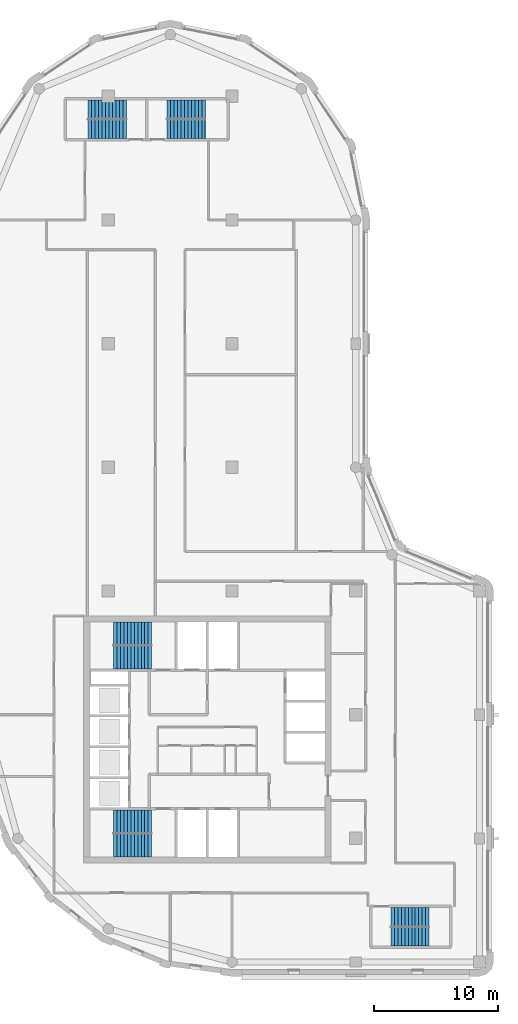
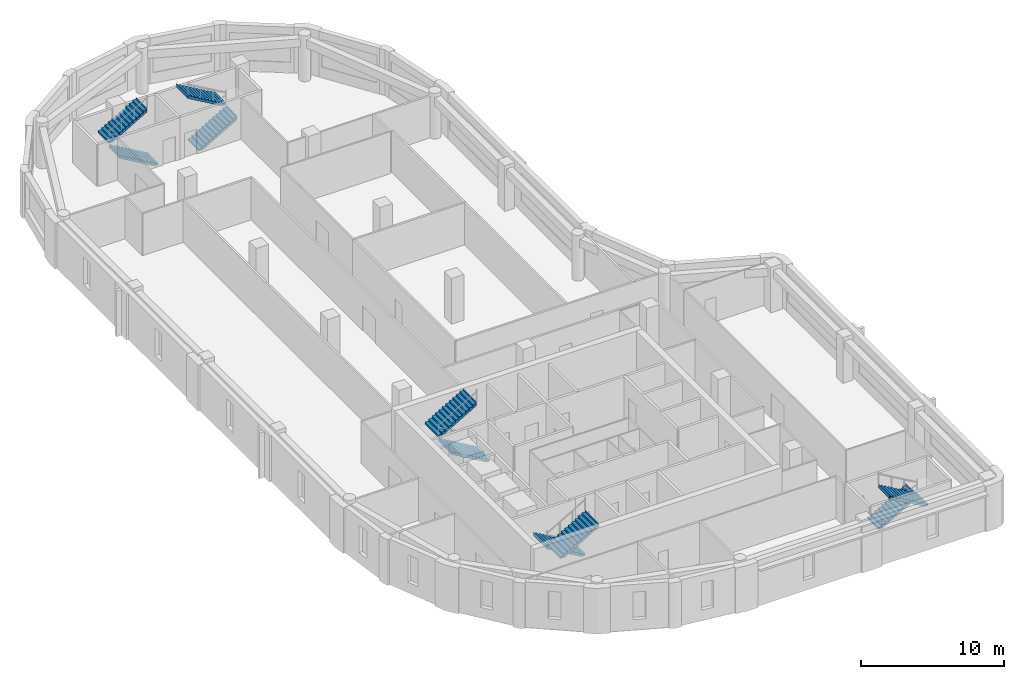
# One storey, part 6 of 8: 10 stair flights, 5 elements without a shape of their own.
"""IFC4 building model written with IfcOpenShell, lengths in metres."""

import ifcopenshell
import ifcopenshell.guid

model = None  # the IFC model being written
_history = None  # IfcOwnerHistory: only IFC2X3 demands one
_inside = {}  # id of a spatial element -> (the spatial element, [elements in it])
_under = {}  # id of a project, library or spatial element -> (it, [spatial elements below it])
_declared = {}  # id of a project -> (the project, [libraries it declares])
_typed = {}  # id of a type object -> (the type object, [elements of that type])
_made_of = {}  # id of a material, layer set ... -> (it, [elements and type objects made of it])


def new_model(schema):
    """Start an empty IFC model of exactly this schema.

    Asked for "IFC4X3", IfcOpenShell would pick the latest addendum, in which some entities
    have other attributes; the version numbers below select the first issue.
    IFC2X3 requires an IfcOwnerHistory on every rooted entity: one is made here for all.
    """
    global model, _history
    if schema == "IFC4X3":
        model = ifcopenshell.file(schema_version=(4, 3, 0, 0))
    else:
        model = ifcopenshell.file(schema=schema)
    _inside.clear()
    _under.clear()
    _declared.clear()
    _typed.clear()
    _made_of.clear()
    _history = None
    if model.schema == "IFC2X3":
        org = make("IfcOrganization", Name="unknown")
        user = make(
            "IfcPersonAndOrganization",
            ThePerson=make("IfcPerson", FamilyName="unknown"),
            TheOrganization=org,
        )
        app = make(
            "IfcApplication",
            ApplicationDeveloper=org,
            Version="unknown",
            ApplicationFullName="unknown",
            ApplicationIdentifier="unknown",
        )
        _history = make(
            "IfcOwnerHistory",
            OwningUser=user,
            OwningApplication=app,
            ChangeAction="ADDED",
            CreationDate=0,
        )
    return model


def make(cls, **values):
    """One entity of the class cls with the attributes given. An attribute that is None is left unset."""
    return model.create_entity(
        cls, **{name: value for name, value in values.items() if value is not None}
    )


def rooted(cls, **values):
    """An entity with a GlobalId (a new one), such as an element, a storey or a relation."""
    return make(cls, GlobalId=ifcopenshell.guid.new(), OwnerHistory=_history, **values)


def si_unit(unit_type, name, prefix=None):
    """IfcSIUnit, for example si_unit("LENGTHUNIT", "METRE", prefix="MILLI")."""
    return make("IfcSIUnit", UnitType=unit_type, Prefix=prefix, Name=name)


def assignment(units):
    """IfcUnitAssignment: the units of a project."""
    return None if units is None else make("IfcUnitAssignment", Units=units)


def point(xyz):
    """IfcCartesianPoint."""
    return None if xyz is None else make("IfcCartesianPoint", Coordinates=xyz)


def direction(xyz):
    """IfcDirection."""
    return None if xyz is None else make("IfcDirection", DirectionRatios=xyz)


def frame(location, z_axis=None, x_axis=None):
    """IfcAxis2Placement3D, a coordinate frame: its origin and axes. An axis left out is left unset."""
    return make(
        "IfcAxis2Placement3D",
        Location=point(location),
        Axis=direction(z_axis),
        RefDirection=direction(x_axis),
    )


def origin():
    """The frame at (0, 0, 0) with its axes left unset."""
    return frame((0.0, 0.0, 0.0))


def place(relative_to, where):
    """IfcLocalPlacement: puts the frame where relative to a parent placement (None: the world)."""
    return make(
        "IfcLocalPlacement", PlacementRelTo=relative_to, RelativePlacement=where
    )


def context(
    kind, dimensions, precision=None, world=None, true_north=None, identifier=None
):
    """IfcGeometricRepresentationContext, for example the 3D "Model" context."""
    return make(
        "IfcGeometricRepresentationContext",
        ContextIdentifier=identifier,
        ContextType=kind,
        CoordinateSpaceDimension=dimensions,
        Precision=precision,
        WorldCoordinateSystem=world,
        TrueNorth=true_north,
    )


def subcontext(parent, identifier, kind, view, scale=None):
    """IfcGeometricRepresentationSubContext, for example "Body" below "Model"."""
    return make(
        "IfcGeometricRepresentationSubContext",
        ContextIdentifier=identifier,
        ContextType=kind,
        ParentContext=parent,
        TargetScale=scale,
        TargetView=view,
    )


def project(units=None, contexts=None):
    """IfcProject with its units and contexts."""
    return rooted(
        "IfcProject",
        Name="project",
        RepresentationContexts=contexts,
        UnitsInContext=assignment(units),
    )


def spatial(cls, under=None, at=None, **own):
    """A site, building, storey or space (cls), placed at a placement, below another one or the project."""
    s = rooted(cls, ObjectPlacement=at, **own)
    if under is not None:
        _under.setdefault(under.id(), (under, []))[1].append(s)
    return s


def polyline(points):
    """IfcPolyline through the points."""
    return make("IfcPolyline", Points=[point(p) for p in points])


def outline(outer, holes=None, kind="AREA"):
    """IfcArbitraryClosedProfileDef: a profile drawn as a closed curve; with holes, ...WithVoids."""
    if holes is None:
        return make("IfcArbitraryClosedProfileDef", ProfileType=kind, OuterCurve=outer)
    return make(
        "IfcArbitraryProfileDefWithVoids",
        ProfileType=kind,
        OuterCurve=outer,
        InnerCurves=holes,
    )


def extrude(swept, where, along, depth):
    """IfcExtrudedAreaSolid: the profile swept, set in the frame where, extruded along a direction by depth."""
    return make(
        "IfcExtrudedAreaSolid",
        SweptArea=swept,
        Position=where,
        ExtrudedDirection=direction(along),
        Depth=depth,
    )


def shape(context_of_items, identifier, shape_type, items):
    """IfcShapeRepresentation: the items that make up one representation, for example the "Body"."""
    return make(
        "IfcShapeRepresentation",
        ContextOfItems=context_of_items,
        RepresentationIdentifier=identifier,
        RepresentationType=shape_type,
        Items=items,
    )


def material(Name=None, Category=None):
    """IfcMaterial."""
    return make("IfcMaterial", Name=Name, Category=Category)


def made_of(thing, what):
    """Note that an element or type object is made of a material, layer set ...; save() writes the relation."""
    if what is not None:
        _made_of.setdefault(what.id(), (what, []))[1].append(thing)
    return thing


def type_object(cls, material=None, **own):
    """A type object (cls), such as IfcWallType, which elements share."""
    return made_of(rooted(cls, **own), material)


def element(
    cls,
    number,
    at=None,
    inside=None,
    cuts=None,
    type_object=None,
    material=None,
    context=None,
    identifier="Body",
    shape_type=None,
    held_by="IfcProductDefinitionShape",
    body=None,
    shapes=None,
    **own,
):
    """One element of the class cls, such as IfcWall. Its Tag is "e" and its number.

    at: its placement. inside: the storey or other place that contains it. cuts: it is an
    opening in that element (IfcRelVoidsElement). A single representation is given by context,
    identifier, shape_type and body (its items); several are given by shapes. held_by: the class
    of the entity that holds the representations. save() writes the other relations.
    """
    e = rooted(cls, Tag="e%d" % number, ObjectPlacement=at, **own)
    if body is not None:
        shapes = [shape(context, identifier, shape_type, body)]
    if shapes is not None:
        e.Representation = make(held_by, Representations=shapes)
    if inside is not None:
        _inside.setdefault(inside.id(), (inside, []))[1].append(e)
    if cuts is not None:
        rooted(
            "IfcRelVoidsElement", RelatingBuildingElement=cuts, RelatedOpeningElement=e
        )
    if type_object is not None:
        _typed.setdefault(type_object.id(), (type_object, []))[1].append(e)
    return made_of(e, material)


def aggregate(whole, parts):
    """IfcRelAggregates: a whole, such as a stair, and the parts it consists of."""
    return rooted("IfcRelAggregates", RelatingObject=whole, RelatedObjects=parts)


def save(model, path):
    """Write the relations noted so far, then the file.

    IfcRelAggregates (storeys below a building ...), IfcRelContainedInSpatialStructure (elements
    in a storey), IfcRelDefinesByType, IfcRelAssociatesMaterial and IfcRelDeclares: one each for
    every whole, place, type object, material and project.
    """
    for whole, parts in _under.values():
        aggregate(whole, parts)
    for where, things in _inside.values():
        rooted(
            "IfcRelContainedInSpatialStructure",
            RelatedElements=things,
            RelatingStructure=where,
        )
    for kind, things in _typed.values():
        rooted("IfcRelDefinesByType", RelatedObjects=things, RelatingType=kind)
    for what, things in _made_of.values():
        rooted("IfcRelAssociatesMaterial", RelatedObjects=things, RelatingMaterial=what)
    for by, libraries in _declared.values():
        rooted("IfcRelDeclares", RelatingContext=by, RelatedDefinitions=libraries)
    model.write(path)


model = new_model("IFC4")

# Units and contexts
model_context = context("Model", 3, precision=1e-05, world=origin(), true_north=direction((0.0, 1.0)))
body_context = subcontext(model_context, "Body", "Model", "MODEL_VIEW")
ifc_project = project(units=[si_unit("LENGTHUNIT", "METRE"), si_unit("AREAUNIT", "SQUARE_METRE"), si_unit("VOLUMEUNIT", "CUBIC_METRE"), si_unit("PLANEANGLEUNIT", "RADIAN"), si_unit("MASSUNIT", "GRAM", prefix="KILO")], contexts=[model_context])

# Site, building, storey
site_placement = place(None, origin())
site = spatial("IfcSite", under=ifc_project, at=site_placement, CompositionType="ELEMENT")
building_placement = place(site_placement, origin())
building = spatial("IfcBuilding", under=site, at=building_placement, Name="Qaws Garden Tower", CompositionType="ELEMENT")
storey_placement = place(building_placement, frame((0.0, 0.0, 306.0)))
storey = spatial("IfcBuildingStorey", under=building, at=storey_placement, Name="L74", CompositionType="ELEMENT", Elevation=306.0)

# Stair, stair flights
ifc_material_1 = material(Name="Concrete C40", Category="concrete")
stair_type_1 = type_object("IfcStairType", Name="Exit stair 1350", PredefinedType="HALF_TURN_STAIR", material=ifc_material_1)
placement = place(storey_placement, origin())
stair_1 = element("IfcStair", 1, at=placement, inside=storey, type_object=stair_type_1, Name="Stair 5", PredefinedType="HALF_TURN_STAIR")
ifc_material_2 = material(Name="Concrete C40", Category="concrete")
stair_flight_type_1 = type_object("IfcStairFlightType", Name="Stair flight 1350", PredefinedType="STRAIGHT", material=ifc_material_2)
stair_flight_1_placement = place(storey_placement, frame((32.85009765625, 3.625, 0.0), z_axis=(0.0, 0.0, 1.0), x_axis=(1.0, 0.0, 0.0)))
stair_flight_1 = element("IfcStairFlight", 2, at=stair_flight_1_placement, type_object=stair_flight_type_1, Name="ST5 flight 1", NumberOfRisers=12, NumberOfTreads=11, PredefinedType="STRAIGHT", RiserHeight=0.1625, TreadLength=0.28, context=body_context, shape_type="SweptSolid", body=[
    extrude(outline(polyline([(-0.0029296875, 0.0), (-0.0029296875, 0.16259765625), (0.0, 0.16259765625), (0.280029296875, 0.16259765625), (0.280029296875, 0.324951171875), (0.56005859375, 0.324951171875), (0.56005859375, 0.487548828125), (0.840087890625, 0.487548828125), (0.840087890625, 0.64990234375), (1.1201171875, 0.64990234375), (1.1201171875, 0.8125), (1.39990234375, 0.8125), (1.39990234375, 0.97509765625), (1.679931640625, 0.97509765625), (1.679931640625, 1.137451171875), (1.9599609375, 1.137451171875), (1.9599609375, 1.300048828125), (2.239990234375, 1.300048828125), (2.239990234375, 1.46240234375), (2.52001953125, 1.46240234375), (2.52001953125, 1.625), (2.800048828125, 1.625), (2.800048828125, 1.78759765625), (3.080078125, 1.78759765625), (3.080078125, 1.949951171875), (3.0830078125, 1.949951171875), (3.0830078125, 1.6142578125), (3.080078125, 1.6142578125), (0.298583984375, 0.0), (-0.0029296875, 0.0)])), frame((0.0, 0.77490234375, 0.0), z_axis=(0.0, -1.0, 0.0), x_axis=(1.0, 0.0, 0.0)), (0.0, 0.0, 1.0), 1.550048828125),
])
stair_flight_2_placement = place(storey_placement, frame((35.929931640625, 2.074951171875, 1.949951171875), z_axis=(0.0, 0.0, 1.0), x_axis=(-1.0, 0.0, 0.0)))
stair_flight_2 = element("IfcStairFlight", 3, at=stair_flight_2_placement, type_object=stair_flight_type_1, Name="ST5 flight 2", NumberOfRisers=12, NumberOfTreads=11, PredefinedType="STRAIGHT", RiserHeight=0.1625, TreadLength=0.28, context=body_context, shape_type="SweptSolid", body=[
    extrude(outline(polyline([(-0.0029296875, 0.0), (-0.0029296875, 0.16259765625), (0.0, 0.16259765625), (0.280029296875, 0.16259765625), (0.280029296875, 0.324951171875), (0.56005859375, 0.324951171875), (0.56005859375, 0.487548828125), (0.840087890625, 0.487548828125), (0.840087890625, 0.64990234375), (1.1201171875, 0.64990234375), (1.1201171875, 0.8125), (1.39990234375, 0.8125), (1.39990234375, 0.97509765625), (1.679931640625, 0.97509765625), (1.679931640625, 1.137451171875), (1.9599609375, 1.137451171875), (1.9599609375, 1.300048828125), (2.239990234375, 1.300048828125), (2.239990234375, 1.46240234375), (2.52001953125, 1.46240234375), (2.52001953125, 1.625), (2.800048828125, 1.625), (2.800048828125, 1.78759765625), (3.080078125, 1.78759765625), (3.080078125, 1.949951171875), (3.0830078125, 1.949951171875), (3.0830078125, 1.6142578125), (3.080078125, 1.6142578125), (0.298583984375, 0.0), (-0.0029296875, 0.0)])), frame((0.0, 0.77490234375, 0.0), z_axis=(0.0, -1.0, 0.0), x_axis=(1.0, 0.0, 0.0)), (0.0, 0.0, 1.0), 1.550048828125),
])
aggregate(stair_1, [stair_flight_1, stair_flight_2])

stair_2 = element("IfcStair", 4, at=placement, inside=storey, type_object=stair_type_1, Name="Stair 6", PredefinedType="HALF_TURN_STAIR")
stair_flight_3_placement = place(storey_placement, frame((11.449951171875, 67.375, 0.0), z_axis=(0.0, 0.0, 1.0), x_axis=(-1.0, 0.0, 0.0)))
stair_flight_3 = element("IfcStairFlight", 5, at=stair_flight_3_placement, type_object=stair_flight_type_1, Name="ST6 flight 1", NumberOfRisers=12, NumberOfTreads=11, PredefinedType="STRAIGHT", RiserHeight=0.1625, TreadLength=0.28, context=body_context, shape_type="SweptSolid", body=[
    extrude(outline(polyline([(-0.0029296875, 0.0), (-0.0029296875, 0.16259765625), (0.0, 0.16259765625), (0.280029296875, 0.16259765625), (0.280029296875, 0.324951171875), (0.56005859375, 0.324951171875), (0.56005859375, 0.487548828125), (0.840087890625, 0.487548828125), (0.840087890625, 0.64990234375), (1.1201171875, 0.64990234375), (1.1201171875, 0.8125), (1.39990234375, 0.8125), (1.39990234375, 0.97509765625), (1.679931640625, 0.97509765625), (1.679931640625, 1.137451171875), (1.9599609375, 1.137451171875), (1.9599609375, 1.300048828125), (2.239990234375, 1.300048828125), (2.239990234375, 1.46240234375), (2.52001953125, 1.46240234375), (2.52001953125, 1.625), (2.800048828125, 1.625), (2.800048828125, 1.78759765625), (3.080078125, 1.78759765625), (3.080078125, 1.949951171875), (3.0830078125, 1.949951171875), (3.0830078125, 1.6142578125), (3.080078125, 1.6142578125), (0.298583984375, 0.0), (-0.0029296875, 0.0)])), frame((0.0, 0.77490234375, 0.0), z_axis=(0.0, -1.0, 0.0), x_axis=(1.0, 0.0, 0.0)), (0.0, 0.0, 1.0), 1.550048828125),
])
stair_flight_4_placement = place(storey_placement, frame((8.3701171875, 68.925048828125, 1.949951171875), z_axis=(0.0, 0.0, 1.0), x_axis=(1.0, 0.0, 0.0)))
stair_flight_4 = element("IfcStairFlight", 6, at=stair_flight_4_placement, type_object=stair_flight_type_1, Name="ST6 flight 2", NumberOfRisers=12, NumberOfTreads=11, PredefinedType="STRAIGHT", RiserHeight=0.1625, TreadLength=0.28, context=body_context, shape_type="SweptSolid", body=[
    extrude(outline(polyline([(-0.0029296875, 0.0), (-0.0029296875, 0.16259765625), (0.0, 0.16259765625), (0.280029296875, 0.16259765625), (0.280029296875, 0.324951171875), (0.56005859375, 0.324951171875), (0.56005859375, 0.487548828125), (0.840087890625, 0.487548828125), (0.840087890625, 0.64990234375), (1.1201171875, 0.64990234375), (1.1201171875, 0.8125), (1.39990234375, 0.8125), (1.39990234375, 0.97509765625), (1.679931640625, 0.97509765625), (1.679931640625, 1.137451171875), (1.9599609375, 1.137451171875), (1.9599609375, 1.300048828125), (2.239990234375, 1.300048828125), (2.239990234375, 1.46240234375), (2.52001953125, 1.46240234375), (2.52001953125, 1.625), (2.800048828125, 1.625), (2.800048828125, 1.78759765625), (3.080078125, 1.78759765625), (3.080078125, 1.949951171875), (3.0830078125, 1.949951171875), (3.0830078125, 1.6142578125), (3.080078125, 1.6142578125), (0.298583984375, 0.0), (-0.0029296875, 0.0)])), frame((0.0, 0.77490234375, 0.0), z_axis=(0.0, -1.0, 0.0), x_axis=(1.0, 0.0, 0.0)), (0.0, 0.0, 1.0), 1.550048828125),
])
aggregate(stair_2, [stair_flight_3, stair_flight_4])

stair_3 = element("IfcStair", 7, at=placement, inside=storey, type_object=stair_type_1, Name="Stair 7", PredefinedType="HALF_TURN_STAIR")
stair_flight_5_placement = place(storey_placement, frame((14.75, 67.375, 0.0), z_axis=(0.0, 0.0, 1.0), x_axis=(1.0, 0.0, 0.0)))
stair_flight_5 = element("IfcStairFlight", 8, at=stair_flight_5_placement, type_object=stair_flight_type_1, Name="ST7 flight 1", NumberOfRisers=12, NumberOfTreads=11, PredefinedType="STRAIGHT", RiserHeight=0.1625, TreadLength=0.28, context=body_context, shape_type="SweptSolid", body=[
    extrude(outline(polyline([(-0.0029296875, 0.0), (-0.0029296875, 0.16259765625), (0.0, 0.16259765625), (0.280029296875, 0.16259765625), (0.280029296875, 0.324951171875), (0.56005859375, 0.324951171875), (0.56005859375, 0.487548828125), (0.840087890625, 0.487548828125), (0.840087890625, 0.64990234375), (1.1201171875, 0.64990234375), (1.1201171875, 0.8125), (1.39990234375, 0.8125), (1.39990234375, 0.97509765625), (1.679931640625, 0.97509765625), (1.679931640625, 1.137451171875), (1.9599609375, 1.137451171875), (1.9599609375, 1.300048828125), (2.239990234375, 1.300048828125), (2.239990234375, 1.46240234375), (2.52001953125, 1.46240234375), (2.52001953125, 1.625), (2.800048828125, 1.625), (2.800048828125, 1.78759765625), (3.080078125, 1.78759765625), (3.080078125, 1.949951171875), (3.0830078125, 1.949951171875), (3.0830078125, 1.6142578125), (3.080078125, 1.6142578125), (0.298583984375, 0.0), (-0.0029296875, 0.0)])), frame((0.0, 0.77490234375, 0.0), z_axis=(0.0, -1.0, 0.0), x_axis=(1.0, 0.0, 0.0)), (0.0, 0.0, 1.0), 1.550048828125),
])
stair_flight_6_placement = place(storey_placement, frame((17.830078125, 68.925048828125, 1.949951171875), z_axis=(0.0, 0.0, 1.0), x_axis=(-1.0, 0.0, 0.0)))
stair_flight_6 = element("IfcStairFlight", 9, at=stair_flight_6_placement, type_object=stair_flight_type_1, Name="ST7 flight 2", NumberOfRisers=12, NumberOfTreads=11, PredefinedType="STRAIGHT", RiserHeight=0.1625, TreadLength=0.28, context=body_context, shape_type="SweptSolid", body=[
    extrude(outline(polyline([(-0.0029296875, 0.0), (-0.0029296875, 0.16259765625), (0.0, 0.16259765625), (0.280029296875, 0.16259765625), (0.280029296875, 0.324951171875), (0.56005859375, 0.324951171875), (0.56005859375, 0.487548828125), (0.840087890625, 0.487548828125), (0.840087890625, 0.64990234375), (1.1201171875, 0.64990234375), (1.1201171875, 0.8125), (1.39990234375, 0.8125), (1.39990234375, 0.97509765625), (1.679931640625, 0.97509765625), (1.679931640625, 1.137451171875), (1.9599609375, 1.137451171875), (1.9599609375, 1.300048828125), (2.239990234375, 1.300048828125), (2.239990234375, 1.46240234375), (2.52001953125, 1.46240234375), (2.52001953125, 1.625), (2.800048828125, 1.625), (2.800048828125, 1.78759765625), (3.080078125, 1.78759765625), (3.080078125, 1.949951171875), (3.0830078125, 1.949951171875), (3.0830078125, 1.6142578125), (3.080078125, 1.6142578125), (0.298583984375, 0.0), (-0.0029296875, 0.0)])), frame((0.0, 0.77490234375, 0.0), z_axis=(0.0, -1.0, 0.0), x_axis=(1.0, 0.0, 0.0)), (0.0, 0.0, 1.0), 1.550048828125),
])
aggregate(stair_3, [stair_flight_5, stair_flight_6])

ifc_material_3 = material(Name="Concrete C40", Category="concrete")
stair_type_2 = type_object("IfcStairType", Name="Exit stair 1500", PredefinedType="HALF_TURN_STAIR", material=ifc_material_3)
stair_4 = element("IfcStair", 10, at=placement, inside=storey, type_object=stair_type_2, Name="Stair 1", PredefinedType="HALF_TURN_STAIR")
ifc_material_4 = material(Name="Concrete C40", Category="concrete")
stair_flight_type_2 = type_object("IfcStairFlightType", Name="Stair flight 1500", PredefinedType="STRAIGHT", material=ifc_material_4)
stair_flight_7_placement = place(storey_placement, frame((13.5, 11.35009765625, 0.0), z_axis=(0.0, 0.0, 1.0), x_axis=(-1.0, 0.0, 0.0)))
stair_flight_7 = element("IfcStairFlight", 11, at=stair_flight_7_placement, type_object=stair_flight_type_2, Name="ST1 flight 1", NumberOfRisers=12, NumberOfTreads=11, PredefinedType="STRAIGHT", RiserHeight=0.1625, TreadLength=0.28, context=body_context, shape_type="SweptSolid", body=[
    extrude(outline(polyline([(-0.0029296875, 0.0), (-0.0029296875, 0.16259765625), (0.0, 0.16259765625), (0.280029296875, 0.16259765625), (0.280029296875, 0.324951171875), (0.56005859375, 0.324951171875), (0.56005859375, 0.487548828125), (0.840087890625, 0.487548828125), (0.840087890625, 0.64990234375), (1.1201171875, 0.64990234375), (1.1201171875, 0.8125), (1.39990234375, 0.8125), (1.39990234375, 0.97509765625), (1.679931640625, 0.97509765625), (1.679931640625, 1.137451171875), (1.9599609375, 1.137451171875), (1.9599609375, 1.300048828125), (2.239990234375, 1.300048828125), (2.239990234375, 1.46240234375), (2.52001953125, 1.46240234375), (2.52001953125, 1.625), (2.800048828125, 1.625), (2.800048828125, 1.78759765625), (3.080078125, 1.78759765625), (3.080078125, 1.949951171875), (3.0830078125, 1.949951171875), (3.0830078125, 1.6142578125), (3.080078125, 1.6142578125), (0.298583984375, 0.0), (-0.0029296875, 0.0)])), frame((0.0, 0.949951171875, 0.0), z_axis=(0.0, -1.0, 0.0), x_axis=(1.0, 0.0, 0.0)), (0.0, 0.0, 1.0), 1.89990234375),
])
stair_flight_8_placement = place(storey_placement, frame((10.419921875, 9.449951171875, 1.949951171875), z_axis=(0.0, 0.0, 1.0), x_axis=(1.0, 0.0, 0.0)))
stair_flight_8 = element("IfcStairFlight", 12, at=stair_flight_8_placement, type_object=stair_flight_type_2, Name="ST1 flight 2", NumberOfRisers=12, NumberOfTreads=11, PredefinedType="STRAIGHT", RiserHeight=0.1625, TreadLength=0.28, context=body_context, shape_type="SweptSolid", body=[
    extrude(outline(polyline([(-0.0029296875, 0.0), (-0.0029296875, 0.16259765625), (0.0, 0.16259765625), (0.280029296875, 0.16259765625), (0.280029296875, 0.324951171875), (0.56005859375, 0.324951171875), (0.56005859375, 0.487548828125), (0.840087890625, 0.487548828125), (0.840087890625, 0.64990234375), (1.1201171875, 0.64990234375), (1.1201171875, 0.8125), (1.39990234375, 0.8125), (1.39990234375, 0.97509765625), (1.679931640625, 0.97509765625), (1.679931640625, 1.137451171875), (1.9599609375, 1.137451171875), (1.9599609375, 1.300048828125), (2.239990234375, 1.300048828125), (2.239990234375, 1.46240234375), (2.52001953125, 1.46240234375), (2.52001953125, 1.625), (2.800048828125, 1.625), (2.800048828125, 1.78759765625), (3.080078125, 1.78759765625), (3.080078125, 1.949951171875), (3.0830078125, 1.949951171875), (3.0830078125, 1.6142578125), (3.080078125, 1.6142578125), (0.298583984375, 0.0), (-0.0029296875, 0.0)])), frame((0.0, 0.949951171875, 0.0), z_axis=(0.0, -1.0, 0.0), x_axis=(1.0, 0.0, 0.0)), (0.0, 0.0, 1.0), 1.89990234375),
])
aggregate(stair_4, [stair_flight_7, stair_flight_8])

stair_5 = element("IfcStair", 13, at=placement, inside=storey, type_object=stair_type_2, Name="Stair 4", PredefinedType="HALF_TURN_STAIR")
stair_flight_9_placement = place(storey_placement, frame((13.5, 24.64990234375, 0.0), z_axis=(0.0, 0.0, 1.0), x_axis=(-1.0, 0.0, 0.0)))
stair_flight_9 = element("IfcStairFlight", 14, at=stair_flight_9_placement, type_object=stair_flight_type_2, Name="ST4 flight 1", NumberOfRisers=12, NumberOfTreads=11, PredefinedType="STRAIGHT", RiserHeight=0.1625, TreadLength=0.28, context=body_context, shape_type="SweptSolid", body=[
    extrude(outline(polyline([(-0.0029296875, 0.0), (-0.0029296875, 0.16259765625), (0.0, 0.16259765625), (0.280029296875, 0.16259765625), (0.280029296875, 0.324951171875), (0.56005859375, 0.324951171875), (0.56005859375, 0.487548828125), (0.840087890625, 0.487548828125), (0.840087890625, 0.64990234375), (1.1201171875, 0.64990234375), (1.1201171875, 0.8125), (1.39990234375, 0.8125), (1.39990234375, 0.97509765625), (1.679931640625, 0.97509765625), (1.679931640625, 1.137451171875), (1.9599609375, 1.137451171875), (1.9599609375, 1.300048828125), (2.239990234375, 1.300048828125), (2.239990234375, 1.46240234375), (2.52001953125, 1.46240234375), (2.52001953125, 1.625), (2.800048828125, 1.625), (2.800048828125, 1.78759765625), (3.080078125, 1.78759765625), (3.080078125, 1.949951171875), (3.0830078125, 1.949951171875), (3.0830078125, 1.6142578125), (3.080078125, 1.6142578125), (0.298583984375, 0.0), (-0.0029296875, 0.0)])), frame((0.0, 0.94482421875, 0.0), z_axis=(0.0, -1.0, 0.0), x_axis=(1.0, 0.0, 0.0)), (0.0, 0.0, 1.0), 1.889892578125),
])
stair_flight_10_placement = place(storey_placement, frame((10.419921875, 26.550048828125, 1.949951171875), z_axis=(0.0, 0.0, 1.0), x_axis=(1.0, 0.0, 0.0)))
stair_flight_10 = element("IfcStairFlight", 15, at=stair_flight_10_placement, type_object=stair_flight_type_2, Name="ST4 flight 2", NumberOfRisers=12, NumberOfTreads=11, PredefinedType="STRAIGHT", RiserHeight=0.1625, TreadLength=0.28, context=body_context, shape_type="SweptSolid", body=[
    extrude(outline(polyline([(-0.0029296875, 0.0), (-0.0029296875, 0.16259765625), (0.0, 0.16259765625), (0.280029296875, 0.16259765625), (0.280029296875, 0.324951171875), (0.56005859375, 0.324951171875), (0.56005859375, 0.487548828125), (0.840087890625, 0.487548828125), (0.840087890625, 0.64990234375), (1.1201171875, 0.64990234375), (1.1201171875, 0.8125), (1.39990234375, 0.8125), (1.39990234375, 0.97509765625), (1.679931640625, 0.97509765625), (1.679931640625, 1.137451171875), (1.9599609375, 1.137451171875), (1.9599609375, 1.300048828125), (2.239990234375, 1.300048828125), (2.239990234375, 1.46240234375), (2.52001953125, 1.46240234375), (2.52001953125, 1.625), (2.800048828125, 1.625), (2.800048828125, 1.78759765625), (3.080078125, 1.78759765625), (3.080078125, 1.949951171875), (3.0830078125, 1.949951171875), (3.0830078125, 1.6142578125), (3.080078125, 1.6142578125), (0.298583984375, 0.0), (-0.0029296875, 0.0)])), frame((0.0, 0.94482421875, 0.0), z_axis=(0.0, -1.0, 0.0), x_axis=(1.0, 0.0, 0.0)), (0.0, 0.0, 1.0), 1.889892578125),
])
aggregate(stair_5, [stair_flight_9, stair_flight_10])

save(model, "model.ifc")
